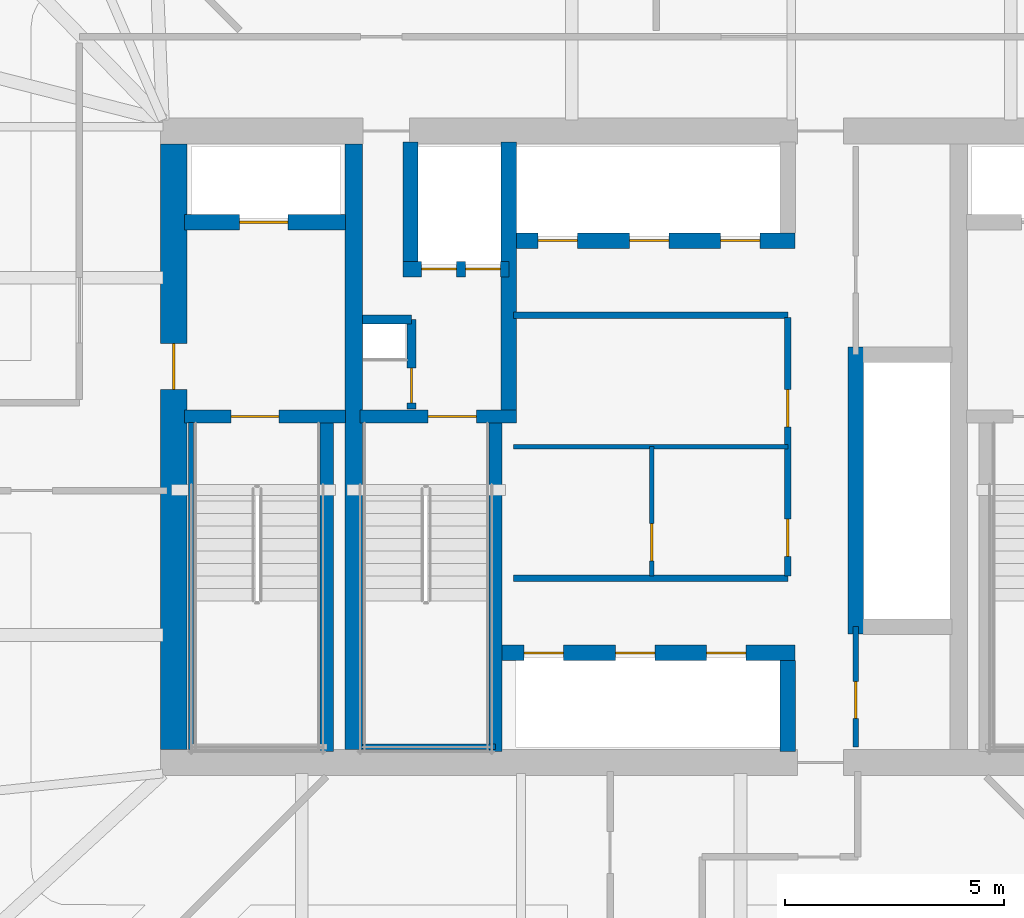
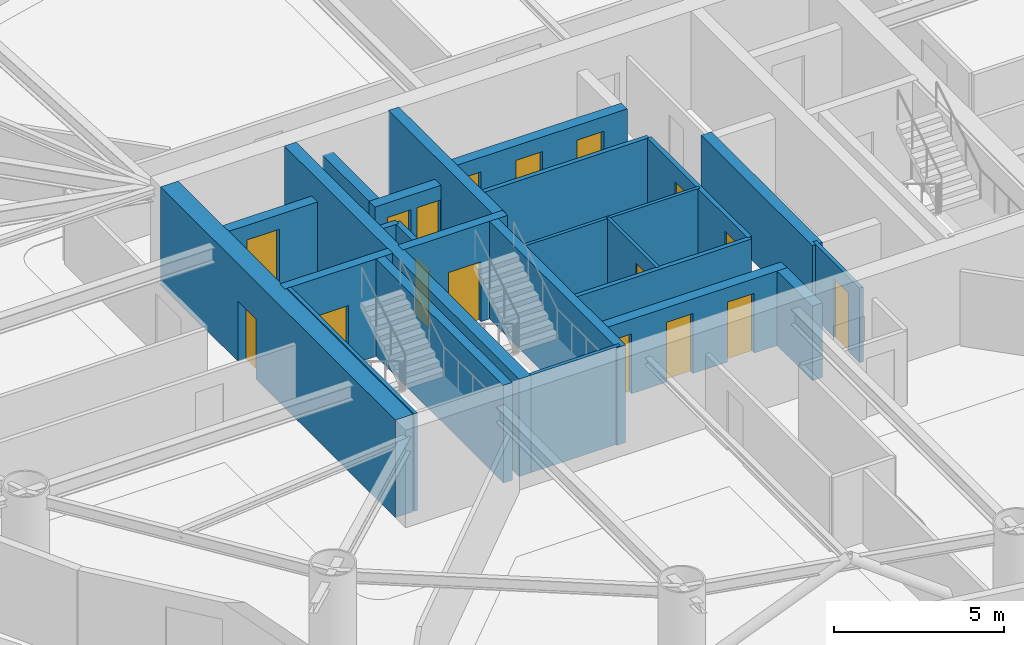
# One storey, part 14 of 21: 24 walls, 17 doors, 17 openings.
"""IFC4 building model written with IfcOpenShell, lengths in metres."""

from ifc_helpers import new_model, si_unit, direction, frame, frame_2d, origin, place, context, subcontext, project, spatial, rectangle, extrude, material, layer, layer_set, type_object, element, fill, save


model = new_model("IFC4")

# Units and contexts
model_context = context("Model", 3, precision=1e-05, world=origin(), true_north=direction((0.0, 1.0)))
body_context = subcontext(model_context, "Body", "Model", "MODEL_VIEW")
ifc_project = project(units=[si_unit("LENGTHUNIT", "METRE"), si_unit("AREAUNIT", "SQUARE_METRE"), si_unit("VOLUMEUNIT", "CUBIC_METRE"), si_unit("PLANEANGLEUNIT", "RADIAN"), si_unit("MASSUNIT", "GRAM", prefix="KILO")], contexts=[model_context])

# Site, building, storey
site_placement = place(None, origin())
site = spatial("IfcSite", under=ifc_project, at=site_placement, CompositionType="ELEMENT")
building_placement = place(site_placement, origin())
building = spatial("IfcBuilding", under=site, at=building_placement, Name="Bramvorn Convention Spire", CompositionType="ELEMENT")
storey_placement = place(building_placement, frame((0.0, 0.0, 102.800048828125)))
storey = spatial("IfcBuildingStorey", under=building, at=storey_placement, Name="L24", CompositionType="ELEMENT", Elevation=102.800048828125)

# Wall, opening, door
ifc_material_1 = material(Name="Concrete C60/70", Category="concrete")
ifc_layer_1 = layer(ifc_material_1, 0.60009765625)
ifc_layer_set_1 = layer_set([ifc_layer_1], Name="Concrete C60/70 - WL-CORE-600")
wall_type_1 = type_object("IfcWallType", Name="WL-CORE-600", PredefinedType="SHEAR", material=ifc_layer_set_1)
wall_1_placement = place(storey_placement, frame((27.0, 19.10009765625, 0.0), z_axis=(0.0, 0.0, 1.0), x_axis=(0.0, 1.0, 0.0)))
wall_1 = element("IfcWall", 1, at=wall_1_placement, inside=storey, type_object=wall_type_1, Name="L24 West RC core shear wall", PredefinedType="SHEAR", context=body_context, shape_type="SweptSolid", body=[
    extrude(rectangle(XDim=13.7998046875, YDim=0.60009765625, at=frame_2d((6.89990234375, 0.0))), origin(), (0.0, 0.0, 1.0), 3.5),
])
opening_1_placement = place(wall_1_placement, frame((8.199951171875, 0.0, 0.0)))
opening_1 = element("IfcOpeningElement", 2, at=opening_1_placement, cuts=wall_1, Name="Opening DL-105", PredefinedType="OPENING", context=body_context, shape_type="SweptSolid", body=[
    extrude(rectangle(XDim=1.050048828125, YDim=2.14990234375, at=frame_2d((0.52490234375, 1.074951171875))), frame((0.0, 0.31005859375, 0.0), z_axis=(0.0, -1.0, 0.0), x_axis=(1.0, 0.0, 0.0)), (0.0, 0.0, 1.0), 0.6201171875),
])
ifc_material_2 = material(Name="Smoke-Sealed Fire Lobby Timber-Core Door", Category="wood")
door_type_1 = type_object("IfcDoorType", Name="DR-LOBBY-1050", OperationType="NOTDEFINED", PredefinedType="DOOR", material=ifc_material_2)
door_1_placement = place(opening_1_placement, origin())
door_1 = element("IfcDoor", 3, at=door_1_placement, inside=storey, type_object=door_type_1, Name="L24 West Firefighting Lobby corridor door", OperationType="SINGLE_SWING_RIGHT", OverallHeight=2.14990234375, OverallWidth=1.050048828125, PredefinedType="DOOR", context=body_context, shape_type="SweptSolid", body=[
    extrude(rectangle(XDim=1.050048828125, YDim=2.14990234375, at=frame_2d((0.52490234375, 1.074951171875))), frame((0.0, 0.02490234375, 0.0), z_axis=(0.0, -1.0, 0.0), x_axis=(1.0, 0.0, 0.0)), (0.0, 0.0, 1.0), 0.050048828125),
])
fill(opening_1, door_1)

ifc_material_3 = material(Name="Concrete C50/60", Category="concrete")
ifc_layer_2 = layer(ifc_material_3, 0.35009765625)
ifc_layer_set_2 = layer_set([ifc_layer_2], Name="Concrete C50/60 - WL-CORE-INT-350")
wall_type_2 = type_object("IfcWallType", Name="WL-CORE-INT-350", PredefinedType="SHEAR", material=ifc_layer_set_2)
wall_2_placement = place(storey_placement, frame((27.25, 31.1201171875, 0.0), z_axis=(0.0, 0.0, 1.0), x_axis=(1.0, 0.0, 0.0)))
wall_2 = element("IfcWall", 4, at=wall_2_placement, inside=storey, type_object=wall_type_2, Name="L24 FE1 shaft front wall", PredefinedType="SHEAR", context=body_context, shape_type="SweptSolid", body=[
    extrude(rectangle(XDim=3.669921875, YDim=0.35009765625, at=frame_2d((1.8349609375, 0.0))), origin(), (0.0, 0.0, 1.0), 2.675048828125),
])
opening_2_placement = place(wall_2_placement, frame((1.25, 0.0, 0.0)))
opening_2 = element("IfcOpeningElement", 5, at=opening_2_placement, cuts=wall_2, Name="Opening LD-110", PredefinedType="OPENING", context=body_context, shape_type="SweptSolid", body=[
    extrude(rectangle(XDim=1.10009765625, YDim=2.14990234375, at=frame_2d((0.550048828125, 1.074951171875))), frame((0.0, 0.18505859375, 0.0), z_axis=(0.0, -1.0, 0.0), x_axis=(1.0, 0.0, 0.0)), (0.0, 0.0, 1.0), 0.3701171875),
])
ifc_material_4 = material(Name="Firefighting & Service Lift Sliding Landing Door", Category="steel")
door_type_2 = type_object("IfcDoorType", Name="DR-LIFT-LD-1100", OperationType="NOTDEFINED", PredefinedType="DOOR", material=ifc_material_4)
door_2_placement = place(opening_2_placement, origin())
door_2 = element("IfcDoor", 6, at=door_2_placement, inside=storey, type_object=door_type_2, Name="L24 Lift FE1 Sliding Landing Door", OperationType="SLIDING_TO_LEFT", OverallHeight=2.14990234375, OverallWidth=1.10009765625, PredefinedType="DOOR", context=body_context, shape_type="SweptSolid", body=[
    extrude(rectangle(XDim=1.10009765625, YDim=2.14990234375, at=frame_2d((0.550048828125, 1.074951171875))), frame((0.0, 0.02490234375, 0.0), z_axis=(0.0, -1.0, 0.0), x_axis=(1.0, 0.0, 0.0)), (0.0, 0.0, 1.0), 0.050048828125),
])
fill(opening_2, door_2)

# Wall
wall_3_placement = place(storey_placement, frame((34.639892578125, 26.68994140625, 0.0), z_axis=(0.0, 0.0, 1.0), x_axis=(0.0, 1.0, 0.0)))
element("IfcWall", 7, at=wall_3_placement, inside=storey, type_object=wall_type_2, Name="L24 SV east core shaft wall", PredefinedType="SHEAR", context=body_context, shape_type="SweptSolid", body=[
    extrude(rectangle(XDim=6.260009765625, YDim=0.35009765625, at=frame_2d((3.1298828125, 0.0))), origin(), (0.0, 0.0, 1.0), 3.5),
])

# Wall, openings, doors
wall_4_placement = place(storey_placement, frame((32.22998046875, 30.050048828125, 0.0), z_axis=(0.0, 0.0, 1.0), x_axis=(1.0, 0.0, 0.0)))
wall_4 = element("IfcWall", 8, at=wall_4_placement, inside=storey, type_object=wall_type_2, Name="L24 SV1/SV2 shaft front wall", PredefinedType="SHEAR", context=body_context, shape_type="SweptSolid", body=[
    extrude(rectangle(XDim=2.409912109375, YDim=0.35009765625, at=frame_2d((1.205078125, 0.0))), origin(), (0.0, 0.0, 1.0), 2.675048828125),
])
opening_3_placement = place(wall_4_placement, frame((0.419921875, 0.0, 0.0)))
opening_3 = element("IfcOpeningElement", 9, at=opening_3_placement, cuts=wall_4, Name="Opening LD-080", PredefinedType="OPENING", context=body_context, shape_type="SweptSolid", body=[
    extrude(rectangle(XDim=0.800048828125, YDim=2.14990234375, at=frame_2d((0.39990234375, 1.074951171875))), frame((0.0, 0.18505859375, 0.0), z_axis=(0.0, -1.0, 0.0), x_axis=(1.0, 0.0, 0.0)), (0.0, 0.0, 1.0), 0.3701171875),
])
opening_4_placement = place(wall_4_placement, frame((1.419921875, 0.0, 0.0)))
opening_4 = element("IfcOpeningElement", 10, at=opening_4_placement, cuts=wall_4, Name="Opening LD-080", PredefinedType="OPENING", context=body_context, shape_type="SweptSolid", body=[
    extrude(rectangle(XDim=0.800048828125, YDim=2.14990234375, at=frame_2d((0.39990234375, 1.074951171875))), frame((0.0, 0.18505859375, 0.0), z_axis=(0.0, -1.0, 0.0), x_axis=(1.0, 0.0, 0.0)), (0.0, 0.0, 1.0), 0.3701171875),
])
ifc_material_5 = material(Name="Service Lift Bi-Parting Landing Door", Category="steel")
door_type_3 = type_object("IfcDoorType", Name="DR-LIFT-LD-800", OperationType="NOTDEFINED", PredefinedType="DOOR", material=ifc_material_5)
door_3_placement = place(opening_3_placement, origin())
door_3 = element("IfcDoor", 11, at=door_3_placement, inside=storey, type_object=door_type_3, Name="L24 Lift SV1 Sliding Landing Door", OperationType="SLIDING_TO_LEFT", OverallHeight=2.14990234375, OverallWidth=0.800048828125, PredefinedType="DOOR", context=body_context, shape_type="SweptSolid", body=[
    extrude(rectangle(XDim=0.800048828125, YDim=2.14990234375, at=frame_2d((0.39990234375, 1.074951171875))), frame((0.0, 0.02490234375, 0.0), z_axis=(0.0, -1.0, 0.0), x_axis=(1.0, 0.0, 0.0)), (0.0, 0.0, 1.0), 0.050048828125),
])
fill(opening_3, door_3)
door_4_placement = place(opening_4_placement, origin())
door_4 = element("IfcDoor", 12, at=door_4_placement, inside=storey, type_object=door_type_3, Name="L24 Lift SV2 Sliding Landing Door", OperationType="SLIDING_TO_LEFT", OverallHeight=2.14990234375, OverallWidth=0.800048828125, PredefinedType="DOOR", context=body_context, shape_type="SweptSolid", body=[
    extrude(rectangle(XDim=0.800048828125, YDim=2.14990234375, at=frame_2d((0.39990234375, 1.074951171875))), frame((0.0, 0.02490234375, 0.0), z_axis=(0.0, -1.0, 0.0), x_axis=(1.0, 0.0, 0.0)), (0.0, 0.0, 1.0), 0.050048828125),
])
fill(opening_4, door_4)

# Walls
wall_5_placement = place(storey_placement, frame((32.39990234375, 30.219970703125, 0.0), z_axis=(0.0, 0.0, 1.0), x_axis=(0.0, 1.0, 0.0)))
element("IfcWall", 13, at=wall_5_placement, inside=storey, type_object=wall_type_2, Name="L24 SV1 west hoistway wall", PredefinedType="SHEAR", context=body_context, shape_type="SweptSolid", body=[
    extrude(rectangle(XDim=2.72998046875, YDim=0.35009765625, at=frame_2d((1.364990234375, 0.0))), origin(), (0.0, 0.0, 1.0), 2.675048828125),
])
wall_6_placement = place(storey_placement, frame((42.550048828125, 21.72998046875, 0.0), z_axis=(0.0, 0.0, 1.0), x_axis=(0.0, 1.0, 0.0)))
element("IfcWall", 14, at=wall_6_placement, inside=storey, type_object=wall_type_2, Name="L24 High-rise lift bank west wall", PredefinedType="SHEAR", context=body_context, shape_type="SweptSolid", body=[
    extrude(rectangle(XDim=6.5400390625, YDim=0.35009765625, at=frame_2d((3.27001953125, 0.0))), origin(), (0.0, 0.0, 1.0), 2.675048828125),
])

# Wall, openings, doors
wall_7_placement = place(storey_placement, frame((34.81005859375, 30.699951171875, 0.0), z_axis=(0.0, 0.0, 1.0), x_axis=(1.0, 0.0, 0.0)))
wall_7 = element("IfcWall", 15, at=wall_7_placement, inside=storey, type_object=wall_type_2, Name="L24 Low-rise bank south landing wall", PredefinedType="SHEAR", context=body_context, shape_type="SweptSolid", body=[
    extrude(rectangle(XDim=6.35986328125, YDim=0.35009765625, at=frame_2d((3.179931640625, 0.0))), origin(), (0.0, 0.0, 1.0), 2.675048828125),
])
opening_5_placement = place(wall_7_placement, frame((0.5, 0.0, 0.0)))
opening_5 = element("IfcOpeningElement", 16, at=opening_5_placement, cuts=wall_7, Name="Opening LD-090", PredefinedType="OPENING", context=body_context, shape_type="SweptSolid", body=[
    extrude(rectangle(XDim=0.89990234375, YDim=2.14990234375, at=frame_2d((0.449951171875, 1.074951171875))), frame((0.0, 0.18505859375, 0.0), z_axis=(0.0, -1.0, 0.0), x_axis=(1.0, 0.0, 0.0)), (0.0, 0.0, 1.0), 0.3701171875),
])
opening_6_placement = place(wall_7_placement, frame((2.580078125, 0.0, 0.0)))
opening_6 = element("IfcOpeningElement", 17, at=opening_6_placement, cuts=wall_7, Name="Opening LD-090", PredefinedType="OPENING", context=body_context, shape_type="SweptSolid", body=[
    extrude(rectangle(XDim=0.89990234375, YDim=2.14990234375, at=frame_2d((0.449951171875, 1.074951171875))), frame((0.0, 0.18505859375, 0.0), z_axis=(0.0, -1.0, 0.0), x_axis=(1.0, 0.0, 0.0)), (0.0, 0.0, 1.0), 0.3701171875),
])
opening_7_placement = place(wall_7_placement, frame((4.659912109375, 0.0, 0.0)))
opening_7 = element("IfcOpeningElement", 18, at=opening_7_placement, cuts=wall_7, Name="Opening LD-090", PredefinedType="OPENING", context=body_context, shape_type="SweptSolid", body=[
    extrude(rectangle(XDim=0.89990234375, YDim=2.14990234375, at=frame_2d((0.449951171875, 1.074951171875))), frame((0.0, 0.18505859375, 0.0), z_axis=(0.0, -1.0, 0.0), x_axis=(1.0, 0.0, 0.0)), (0.0, 0.0, 1.0), 0.3701171875),
])
ifc_material_6 = material(Name="Bi-Parting Fire-Rated Lift Landing Door", Category="steel")
door_type_4 = type_object("IfcDoorType", Name="DR-LIFT-LD-900", OperationType="NOTDEFINED", PredefinedType="DOOR", material=ifc_material_6)
door_5_placement = place(opening_5_placement, origin())
door_5 = element("IfcDoor", 19, at=door_5_placement, inside=storey, type_object=door_type_4, Name="L24 Lift PL1 Sliding Landing Door", OperationType="SLIDING_TO_LEFT", OverallHeight=2.14990234375, OverallWidth=0.89990234375, PredefinedType="DOOR", context=body_context, shape_type="SweptSolid", body=[
    extrude(rectangle(XDim=0.89990234375, YDim=2.14990234375, at=frame_2d((0.449951171875, 1.074951171875))), frame((0.0, 0.02490234375, 0.0), z_axis=(0.0, -1.0, 0.0), x_axis=(1.0, 0.0, 0.0)), (0.0, 0.0, 1.0), 0.050048828125),
])
fill(opening_5, door_5)
door_6_placement = place(opening_6_placement, origin())
door_6 = element("IfcDoor", 20, at=door_6_placement, inside=storey, type_object=door_type_4, Name="L24 Lift PL2 Sliding Landing Door", OperationType="SLIDING_TO_LEFT", OverallHeight=2.14990234375, OverallWidth=0.89990234375, PredefinedType="DOOR", context=body_context, shape_type="SweptSolid", body=[
    extrude(rectangle(XDim=0.89990234375, YDim=2.14990234375, at=frame_2d((0.449951171875, 1.074951171875))), frame((0.0, 0.02490234375, 0.0), z_axis=(0.0, -1.0, 0.0), x_axis=(1.0, 0.0, 0.0)), (0.0, 0.0, 1.0), 0.050048828125),
])
fill(opening_6, door_6)
door_7_placement = place(opening_7_placement, origin())
door_7 = element("IfcDoor", 21, at=door_7_placement, inside=storey, type_object=door_type_4, Name="L24 Lift PL3 Sliding Landing Door", OperationType="SLIDING_TO_LEFT", OverallHeight=2.14990234375, OverallWidth=0.89990234375, PredefinedType="DOOR", context=body_context, shape_type="SweptSolid", body=[
    extrude(rectangle(XDim=0.89990234375, YDim=2.14990234375, at=frame_2d((0.449951171875, 1.074951171875))), frame((0.0, 0.02490234375, 0.0), z_axis=(0.0, -1.0, 0.0), x_axis=(1.0, 0.0, 0.0)), (0.0, 0.0, 1.0), 0.050048828125),
])
fill(opening_7, door_7)

wall_8_placement = place(storey_placement, frame((34.489990234375, 21.300048828125, 0.0), z_axis=(0.0, 0.0, 1.0), x_axis=(1.0, 0.0, 0.0)))
wall_8 = element("IfcWall", 22, at=wall_8_placement, inside=storey, type_object=wall_type_2, Name="L24 Mid-rise bank north landing wall", PredefinedType="SHEAR", context=body_context, shape_type="SweptSolid", body=[
    extrude(rectangle(XDim=6.679931640625, YDim=0.35009765625, at=frame_2d((3.33984375, 0.0))), origin(), (0.0, 0.0, 1.0), 2.675048828125),
])
opening_8_placement = place(wall_8_placement, frame((0.5, 0.0, 0.0)))
opening_8 = element("IfcOpeningElement", 23, at=opening_8_placement, cuts=wall_8, Name="Opening LD-090", PredefinedType="OPENING", context=body_context, shape_type="SweptSolid", body=[
    extrude(rectangle(XDim=0.89990234375, YDim=2.14990234375, at=frame_2d((0.449951171875, 1.074951171875))), frame((0.0, 0.18505859375, 0.0), z_axis=(0.0, -1.0, 0.0), x_axis=(1.0, 0.0, 0.0)), (0.0, 0.0, 1.0), 0.3701171875),
])
opening_9_placement = place(wall_8_placement, frame((2.580078125, 0.0, 0.0)))
opening_9 = element("IfcOpeningElement", 24, at=opening_9_placement, cuts=wall_8, Name="Opening LD-090", PredefinedType="OPENING", context=body_context, shape_type="SweptSolid", body=[
    extrude(rectangle(XDim=0.89990234375, YDim=2.14990234375, at=frame_2d((0.449951171875, 1.074951171875))), frame((0.0, 0.18505859375, 0.0), z_axis=(0.0, -1.0, 0.0), x_axis=(1.0, 0.0, 0.0)), (0.0, 0.0, 1.0), 0.3701171875),
])
opening_10_placement = place(wall_8_placement, frame((4.659912109375, 0.0, 0.0)))
opening_10 = element("IfcOpeningElement", 25, at=opening_10_placement, cuts=wall_8, Name="Opening LD-090", PredefinedType="OPENING", context=body_context, shape_type="SweptSolid", body=[
    extrude(rectangle(XDim=0.89990234375, YDim=2.14990234375, at=frame_2d((0.449951171875, 1.074951171875))), frame((0.0, 0.18505859375, 0.0), z_axis=(0.0, -1.0, 0.0), x_axis=(1.0, 0.0, 0.0)), (0.0, 0.0, 1.0), 0.3701171875),
])
door_8_placement = place(opening_8_placement, origin())
door_8 = element("IfcDoor", 26, at=door_8_placement, inside=storey, type_object=door_type_4, Name="L24 Lift PM1 Sliding Landing Door", OperationType="SLIDING_TO_LEFT", OverallHeight=2.14990234375, OverallWidth=0.89990234375, PredefinedType="DOOR", context=body_context, shape_type="SweptSolid", body=[
    extrude(rectangle(XDim=0.89990234375, YDim=2.14990234375, at=frame_2d((0.449951171875, 1.074951171875))), frame((0.0, 0.02490234375, 0.0), z_axis=(0.0, -1.0, 0.0), x_axis=(1.0, 0.0, 0.0)), (0.0, 0.0, 1.0), 0.050048828125),
])
fill(opening_8, door_8)
door_9_placement = place(opening_9_placement, origin())
door_9 = element("IfcDoor", 27, at=door_9_placement, inside=storey, type_object=door_type_4, Name="L24 Lift PM2 Sliding Landing Door", OperationType="SLIDING_TO_LEFT", OverallHeight=2.14990234375, OverallWidth=0.89990234375, PredefinedType="DOOR", context=body_context, shape_type="SweptSolid", body=[
    extrude(rectangle(XDim=0.89990234375, YDim=2.14990234375, at=frame_2d((0.449951171875, 1.074951171875))), frame((0.0, 0.02490234375, 0.0), z_axis=(0.0, -1.0, 0.0), x_axis=(1.0, 0.0, 0.0)), (0.0, 0.0, 1.0), 0.050048828125),
])
fill(opening_9, door_9)
door_10_placement = place(opening_10_placement, origin())
door_10 = element("IfcDoor", 28, at=door_10_placement, inside=storey, type_object=door_type_4, Name="L24 Lift PM3 Sliding Landing Door", OperationType="SLIDING_TO_LEFT", OverallHeight=2.14990234375, OverallWidth=0.89990234375, PredefinedType="DOOR", context=body_context, shape_type="SweptSolid", body=[
    extrude(rectangle(XDim=0.89990234375, YDim=2.14990234375, at=frame_2d((0.449951171875, 1.074951171875))), frame((0.0, 0.02490234375, 0.0), z_axis=(0.0, -1.0, 0.0), x_axis=(1.0, 0.0, 0.0)), (0.0, 0.0, 1.0), 0.050048828125),
])
fill(opening_10, door_10)

# Walls
wall_9_placement = place(storey_placement, frame((41.0, 19.050048828125, 0.0), z_axis=(0.0, 0.0, 1.0), x_axis=(0.0, 1.0, 0.0)))
element("IfcWall", 29, at=wall_9_placement, inside=storey, type_object=wall_type_2, Name="L24 Mid-rise bank east cheek wall", PredefinedType="SHEAR", context=body_context, shape_type="SweptSolid", body=[
    extrude(rectangle(XDim=2.079833984375, YDim=0.35009765625, at=frame_2d((1.0400390625, 0.0))), origin(), (0.0, 0.0, 1.0), 2.675048828125),
])
ifc_layer_3 = layer(ifc_material_1, 0.39990234375)
ifc_layer_set_3 = layer_set([ifc_layer_3], Name="Concrete C60/70 - WL-CORE-INT-400")
wall_type_3 = type_object("IfcWallType", Name="WL-CORE-INT-400", PredefinedType="SHEAR", material=ifc_layer_set_3)
wall_10_placement = place(storey_placement, frame((31.10009765625, 19.10009765625, 0.0), z_axis=(0.0, 0.0, 1.0), x_axis=(0.0, 1.0, 0.0)))
element("IfcWall", 30, at=wall_10_placement, inside=storey, type_object=wall_type_3, Name="L24 West internal core shear web", PredefinedType="SHEAR", context=body_context, shape_type="SweptSolid", body=[
    extrude(rectangle(XDim=13.7998046875, YDim=0.39990234375, at=frame_2d((6.89990234375, 0.0))), origin(), (0.0, 0.0, 1.0), 3.5),
])
ifc_material_7 = material(Name="Lightweight En-Suite & Wet-Wall Partition", Category="gypsum")
ifc_layer_4 = layer(ifc_material_7, 0.110107421875)
ifc_layer_set_4 = layer_set([ifc_layer_4], Name="Lightweight En-Suite & Wet-Wall Partition - WL-PART-110")
wall_type_4 = type_object("IfcWallType", Name="WL-PART-110", PredefinedType="PARTITIONING", material=ifc_layer_set_4)
wall_11_placement = place(storey_placement, frame((34.75, 26.0, 0.0), z_axis=(0.0, 0.0, 1.0), x_axis=(1.0, 0.0, 0.0)))
element("IfcWall", 31, at=wall_11_placement, inside=storey, type_object=wall_type_4, Name="L24 KA horizontal core divider", PredefinedType="PARTITIONING", context=body_context, shape_type="SweptSolid", body=[
    extrude(rectangle(XDim=6.25, YDim=0.110107421875, at=frame_2d((3.125, 0.0))), origin(), (0.0, 0.0, 1.0), 2.675048828125),
])

# Wall, opening, door
wall_12_placement = place(storey_placement, frame((37.89990234375, 23.050048828125, 0.0), z_axis=(0.0, 0.0, 1.0), x_axis=(0.0, 1.0, 0.0)))
wall_12 = element("IfcWall", 32, at=wall_12_placement, inside=storey, type_object=wall_type_4, Name="L24 KA restroom subwall", PredefinedType="PARTITIONING", context=body_context, shape_type="SweptSolid", body=[
    extrude(rectangle(XDim=2.949951171875, YDim=0.110107421875, at=frame_2d((1.47509765625, 0.0))), origin(), (0.0, 0.0, 1.0), 2.675048828125),
])
opening_11_placement = place(wall_12_placement, frame((0.35009765625, 0.0, 0.0)))
opening_11 = element("IfcOpeningElement", 33, at=opening_11_placement, cuts=wall_12, Name="Opening DC-085", PredefinedType="OPENING", context=body_context, shape_type="SweptSolid", body=[
    extrude(rectangle(XDim=0.85009765625, YDim=2.10009765625, at=frame_2d((0.425048828125, 1.050048828125))), frame((0.0, 0.06494140625, 0.0), z_axis=(0.0, -1.0, 0.0), x_axis=(1.0, 0.0, 0.0)), (0.0, 0.0, 1.0), 0.130126953125),
])
ifc_material_8 = material(Name="Fire-Rated Core Washroom & IDF Door", Category="wood")
door_type_5 = type_object("IfcDoorType", Name="DR-CORE-850", OperationType="NOTDEFINED", PredefinedType="DOOR", material=ifc_material_8)
door_11_placement = place(opening_11_placement, origin())
door_11 = element("IfcDoor", 34, at=door_11_placement, inside=storey, type_object=door_type_5, Name="L24 Core IT Closet door", OperationType="SINGLE_SWING_LEFT", OverallHeight=2.10009765625, OverallWidth=0.85009765625, PredefinedType="DOOR", context=body_context, shape_type="SweptSolid", body=[
    extrude(rectangle(XDim=0.85009765625, YDim=2.10009765625, at=frame_2d((0.425048828125, 1.050048828125))), frame((0.0, 0.02490234375, 0.0), z_axis=(0.0, -1.0, 0.0), x_axis=(1.0, 0.0, 0.0)), (0.0, 0.0, 1.0), 0.050048828125),
])
fill(opening_11, door_11)

ifc_material_9 = material(Name="Metal-Stud Demountable Office Partition", Category="gypsum")
ifc_layer_5 = layer(ifc_material_9, 0.1298828125)
ifc_layer_set_5 = layer_set([ifc_layer_5], Name="Metal-Stud Demountable Office Partition - WL-PART-130")
wall_type_5 = type_object("IfcWallType", Name="WL-PART-130", PredefinedType="PARTITIONING", material=ifc_layer_set_5)
wall_13_placement = place(storey_placement, frame((42.550048828125, 19.14990234375, 0.0), z_axis=(0.0, 0.0, 1.0), x_axis=(0.0, 1.0, 0.0)))
wall_13 = element("IfcWall", 35, at=wall_13_placement, inside=storey, type_object=wall_type_5, Name="L24 KA SE store wall", PredefinedType="PARTITIONING", context=body_context, shape_type="SweptSolid", body=[
    extrude(rectangle(XDim=2.75, YDim=0.1298828125, at=frame_2d((1.375, 0.0))), origin(), (0.0, 0.0, 1.0), 2.675048828125),
])
opening_12_placement = place(wall_13_placement, frame((0.64990234375, 0.0, 0.0)))
opening_12 = element("IfcOpeningElement", 36, at=opening_12_placement, cuts=wall_13, Name="Opening DC-085", PredefinedType="OPENING", context=body_context, shape_type="SweptSolid", body=[
    extrude(rectangle(XDim=0.85009765625, YDim=2.10009765625, at=frame_2d((0.425048828125, 1.050048828125))), frame((0.0, 0.074951171875, 0.0), z_axis=(0.0, -1.0, 0.0), x_axis=(1.0, 0.0, 0.0)), (0.0, 0.0, 1.0), 0.14990234375),
])
door_12_placement = place(opening_12_placement, origin())
door_12 = element("IfcDoor", 37, at=door_12_placement, inside=storey, type_object=door_type_5, Name="L24 Tenant Pantry & Copy Centre door", OperationType="SINGLE_SWING_LEFT", OverallHeight=2.10009765625, OverallWidth=0.85009765625, PredefinedType="DOOR", context=body_context, shape_type="SweptSolid", body=[
    extrude(rectangle(XDim=0.85009765625, YDim=2.10009765625, at=frame_2d((0.425048828125, 1.050048828125))), frame((0.0, 0.02490234375, 0.0), z_axis=(0.0, -1.0, 0.0), x_axis=(1.0, 0.0, 0.0)), (0.0, 0.0, 1.0), 0.050048828125),
])
fill(opening_12, door_12)

# Walls
ifc_material_10 = material(Name="Acoustic Metal-Stud Tenant/Corridor Partition", Category="gypsum")
ifc_layer_6 = layer(ifc_material_10, 0.14990234375)
ifc_layer_set_6 = layer_set([ifc_layer_6], Name="Acoustic Metal-Stud Tenant/Corridor Partition - WL-PART-150")
wall_type_6 = type_object("IfcWallType", Name="WL-PART-150", PredefinedType="PARTITIONING", material=ifc_layer_set_6)
for number, where, z_axis, x_axis, name in (
    (38, (34.75, 29.0, 0.0), (0.0, 0.0, 1.0), (1.0, 0.0, 0.0), "L24 Low-rise lift vestibule south wall"),
    (39, (34.75, 23.0, 0.0), (0.0, 0.0, 1.0), (1.0, 0.0, 0.0), "L24 Mid-rise lift vestibule north wall"),
):
    element("IfcWall", number, at=place(storey_placement, frame(where, z_axis=z_axis, x_axis=x_axis)), inside=storey, type_object=wall_type_6, Name=name, PredefinedType="PARTITIONING", context=body_context, shape_type="SweptSolid", body=[
        extrude(rectangle(XDim=6.25, YDim=0.14990234375, at=frame_2d((3.125, 0.0))), origin(), (0.0, 0.0, 1.0), 2.675048828125),
    ])

# Wall, openings, doors
wall_14_placement = place(storey_placement, frame((41.0, 23.050048828125, 0.0), z_axis=(0.0, 0.0, 1.0), x_axis=(0.0, 1.0, 0.0)))
wall_14 = element("IfcWall", 40, at=wall_14_placement, inside=storey, type_object=wall_type_6, Name="L24 KA east core wall", PredefinedType="PARTITIONING", context=body_context, shape_type="SweptSolid", body=[
    extrude(rectangle(XDim=5.89990234375, YDim=0.14990234375, at=frame_2d((2.949951171875, 0.0))), origin(), (0.0, 0.0, 1.0), 2.675048828125),
])
opening_13_placement = place(wall_14_placement, frame((3.39990234375, 0.0, 0.0)))
opening_13 = element("IfcOpeningElement", 41, at=opening_13_placement, cuts=wall_14, Name="Opening DC-085", PredefinedType="OPENING", context=body_context, shape_type="SweptSolid", body=[
    extrude(rectangle(XDim=0.85009765625, YDim=2.10009765625, at=frame_2d((0.425048828125, 1.050048828125))), frame((0.0, 0.0849609375, 0.0), z_axis=(0.0, -1.0, 0.0), x_axis=(1.0, 0.0, 0.0)), (0.0, 0.0, 1.0), 0.169921875),
])
opening_14_placement = place(wall_14_placement, frame((0.449951171875, 0.0, 0.0)))
opening_14 = element("IfcOpeningElement", 42, at=opening_14_placement, cuts=wall_14, Name="Opening DC-085", PredefinedType="OPENING", context=body_context, shape_type="SweptSolid", body=[
    extrude(rectangle(XDim=0.85009765625, YDim=2.10009765625, at=frame_2d((0.425048828125, 1.050048828125))), frame((0.0, 0.0849609375, 0.0), z_axis=(0.0, -1.0, 0.0), x_axis=(1.0, 0.0, 0.0)), (0.0, 0.0, 1.0), 0.169921875),
])
door_13_placement = place(opening_13_placement, origin())
door_13 = element("IfcDoor", 43, at=door_13_placement, inside=storey, type_object=door_type_5, Name="L24 Core Linen & Equipment Store door", OperationType="SINGLE_SWING_LEFT", OverallHeight=2.10009765625, OverallWidth=0.85009765625, PredefinedType="DOOR", context=body_context, shape_type="SweptSolid", body=[
    extrude(rectangle(XDim=0.85009765625, YDim=2.10009765625, at=frame_2d((0.425048828125, 1.050048828125))), frame((0.0, 0.02490234375, 0.0), z_axis=(0.0, -1.0, 0.0), x_axis=(1.0, 0.0, 0.0)), (0.0, 0.0, 1.0), 0.050048828125),
])
fill(opening_13, door_13)
door_14_placement = place(opening_14_placement, origin())
door_14 = element("IfcDoor", 44, at=door_14_placement, inside=storey, type_object=door_type_5, Name="L24 Accessible Core Restroom door", OperationType="SINGLE_SWING_LEFT", OverallHeight=2.10009765625, OverallWidth=0.85009765625, PredefinedType="DOOR", context=body_context, shape_type="SweptSolid", body=[
    extrude(rectangle(XDim=0.85009765625, YDim=2.10009765625, at=frame_2d((0.425048828125, 1.050048828125))), frame((0.0, 0.02490234375, 0.0), z_axis=(0.0, -1.0, 0.0), x_axis=(1.0, 0.0, 0.0)), (0.0, 0.0, 1.0), 0.050048828125),
])
fill(opening_14, door_14)

# Wall, opening, door
ifc_material_11 = material(Name="Gypsum Shaftwall & Rockwool Core Partition", Category="gypsum")
ifc_layer_7 = layer(ifc_material_11, 0.199951171875)
ifc_layer_set_7 = layer_set([ifc_layer_7], Name="Gypsum Shaftwall & Rockwool Core Partition - WL-PART-200-FR")
wall_type_7 = type_object("IfcWallType", Name="WL-PART-200-FR", PredefinedType="PARTITIONING", material=ifc_layer_set_7)
wall_15_placement = place(storey_placement, frame((32.419921875, 26.860107421875, 0.0), z_axis=(0.0, 0.0, 1.0), x_axis=(0.0, 1.0, 0.0)))
wall_15 = element("IfcWall", 45, at=wall_15_placement, inside=storey, type_object=wall_type_7, Name="L24 Telecom riser east wall", PredefinedType="PARTITIONING", context=body_context, shape_type="SweptSolid", body=[
    extrude(rectangle(XDim=2.039794921875, YDim=0.199951171875, at=frame_2d((1.02001953125, 0.0))), origin(), (0.0, 0.0, 1.0), 2.675048828125),
])
opening_15_placement = place(wall_15_placement, frame((0.139892578125, 0.0, 0.0)))
opening_15 = element("IfcOpeningElement", 46, at=opening_15_placement, cuts=wall_15, Name="Opening DR-080", PredefinedType="OPENING", context=body_context, shape_type="SweptSolid", body=[
    extrude(rectangle(XDim=0.800048828125, YDim=2.050048828125, at=frame_2d((0.39990234375, 1.02490234375))), frame((0.0, 0.10986328125, 0.0), z_axis=(0.0, -1.0, 0.0), x_axis=(1.0, 0.0, 0.0)), (0.0, 0.0, 1.0), 0.219970703125),
])
ifc_material_12 = material(Name="Flush Steel Riser Access Door", Category="steel")
door_type_6 = type_object("IfcDoorType", Name="DR-RISER-800", OperationType="NOTDEFINED", PredefinedType="DOOR", material=ifc_material_12)
door_15_placement = place(opening_15_placement, origin())
door_15 = element("IfcDoor", 47, at=door_15_placement, inside=storey, type_object=door_type_6, Name="L24 Telecom riser access door", OperationType="SINGLE_SWING_RIGHT", OverallHeight=2.050048828125, OverallWidth=0.800048828125, PredefinedType="DOOR", context=body_context, shape_type="SweptSolid", body=[
    extrude(rectangle(XDim=0.800048828125, YDim=2.050048828125, at=frame_2d((0.39990234375, 1.02490234375))), frame((0.0, 0.02490234375, 0.0), z_axis=(0.0, -1.0, 0.0), x_axis=(1.0, 0.0, 0.0)), (0.0, 0.0, 1.0), 0.050048828125),
])
fill(opening_15, door_15)

# Wall
wall_16_placement = place(storey_placement, frame((31.300048828125, 28.89990234375, 0.0), z_axis=(0.0, 0.0, 1.0), x_axis=(1.0, 0.0, 0.0)))
element("IfcWall", 48, at=wall_16_placement, inside=storey, type_object=wall_type_7, Name="L24 Telecom riser north wall", PredefinedType="PARTITIONING", context=body_context, shape_type="SweptSolid", body=[
    extrude(rectangle(XDim=1.119873046875, YDim=0.199951171875, at=frame_2d((0.56005859375, 0.0))), origin(), (0.0, 0.0, 1.0), 2.675048828125),
])

# Wall, opening, door
ifc_layer_8 = layer(ifc_material_3, 0.300048828125)
ifc_layer_set_8 = layer_set([ifc_layer_8], Name="Concrete C50/60 - WL-POD-STAIR-300")
wall_type_8 = type_object("IfcWallType", Name="WL-POD-STAIR-300", PredefinedType="SHEAR", material=ifc_layer_set_8)
wall_17_placement = place(storey_placement, frame((27.25, 26.68994140625, 0.0), z_axis=(0.0, 0.0, 1.0), x_axis=(1.0, 0.0, 0.0)))
wall_17 = element("IfcWall", 49, at=wall_17_placement, inside=storey, type_object=wall_type_8, Name="L24 ST1 north fire wall", PredefinedType="SHEAR", context=body_context, shape_type="SweptSolid", body=[
    extrude(rectangle(XDim=3.669921875, YDim=0.300048828125, at=frame_2d((1.8349609375, 0.0))), origin(), (0.0, 0.0, 1.0), 3.5),
])
opening_16_placement = place(wall_17_placement, frame((1.050048828125, 0.0, 0.0)))
opening_16 = element("IfcOpeningElement", 50, at=opening_16_placement, cuts=wall_17, Name="Opening DS-110", PredefinedType="OPENING", context=body_context, shape_type="SweptSolid", body=[
    extrude(rectangle(XDim=1.10009765625, YDim=2.14990234375, at=frame_2d((0.550048828125, 1.074951171875))), frame((0.0, 0.159912109375, 0.0), z_axis=(0.0, -1.0, 0.0), x_axis=(1.0, 0.0, 0.0)), (0.0, 0.0, 1.0), 0.320068359375),
])
ifc_material_13 = material(Name="Fire-Rated Hollow Steel Stairwell Door", Category="steel")
door_type_7 = type_object("IfcDoorType", Name="DR-STAIR-1100", OperationType="NOTDEFINED", PredefinedType="DOOR", material=ifc_material_13)
door_16_placement = place(opening_16_placement, origin())
door_16 = element("IfcDoor", 51, at=door_16_placement, inside=storey, type_object=door_type_7, Name="L24 Stair ST1 fire door", OperationType="SINGLE_SWING_LEFT", OverallHeight=2.14990234375, OverallWidth=1.10009765625, PredefinedType="DOOR", context=body_context, shape_type="SweptSolid", body=[
    extrude(rectangle(XDim=1.10009765625, YDim=2.14990234375, at=frame_2d((0.550048828125, 1.074951171875))), frame((0.0, 0.02490234375, 0.0), z_axis=(0.0, -1.0, 0.0), x_axis=(1.0, 0.0, 0.0)), (0.0, 0.0, 1.0), 0.050048828125),
])
fill(opening_16, door_16)

# Walls
for number, where, z_axis, x_axis, name in (
    (52, (30.489990234375, 19.050048828125, 0.0), (0.0, 0.0, 1.0), (0.0, 1.0, 0.0), "L24 ST1 east bearing wall"),
    (53, (34.340087890625, 19.050048828125, 0.0), (0.0, 0.0, 1.0), (0.0, 1.0, 0.0), "L24 ST3 east bearing wall"),
):
    element("IfcWall", number, at=place(storey_placement, frame(where, z_axis=z_axis, x_axis=x_axis)), inside=storey, type_object=wall_type_8, Name=name, PredefinedType="SHEAR", context=body_context, shape_type="SweptSolid", body=[
        extrude(rectangle(XDim=7.5, YDim=0.300048828125, at=frame_2d((3.75, 0.0))), origin(), (0.0, 0.0, 1.0), 3.5),
    ])

# Wall, opening, door
wall_18_placement = place(storey_placement, frame((31.25, 26.68994140625, 0.0), z_axis=(0.0, 0.0, 1.0), x_axis=(1.0, 0.0, 0.0)))
wall_18 = element("IfcWall", 54, at=wall_18_placement, inside=storey, type_object=wall_type_8, Name="L24 ST3 north lobby wall", PredefinedType="SHEAR", context=body_context, shape_type="SweptSolid", body=[
    extrude(rectangle(XDim=3.56005859375, YDim=0.300048828125, at=frame_2d((1.780029296875, 0.0))), origin(), (0.0, 0.0, 1.0), 3.5),
])
opening_17_placement = place(wall_18_placement, frame((1.550048828125, 0.0, 0.0)))
opening_17 = element("IfcOpeningElement", 55, at=opening_17_placement, cuts=wall_18, Name="Opening DS-110", PredefinedType="OPENING", context=body_context, shape_type="SweptSolid", body=[
    extrude(rectangle(XDim=1.10009765625, YDim=2.14990234375, at=frame_2d((0.550048828125, 1.074951171875))), frame((0.0, 0.159912109375, 0.0), z_axis=(0.0, -1.0, 0.0), x_axis=(1.0, 0.0, 0.0)), (0.0, 0.0, 1.0), 0.320068359375),
])
door_17_placement = place(opening_17_placement, origin())
door_17 = element("IfcDoor", 56, at=door_17_placement, inside=storey, type_object=door_type_7, Name="L24 Stair ST3 fire door", OperationType="SINGLE_SWING_LEFT", OverallHeight=2.14990234375, OverallWidth=1.10009765625, PredefinedType="DOOR", context=body_context, shape_type="SweptSolid", body=[
    extrude(rectangle(XDim=1.10009765625, YDim=2.14990234375, at=frame_2d((0.550048828125, 1.074951171875))), frame((0.0, 0.02490234375, 0.0), z_axis=(0.0, -1.0, 0.0), x_axis=(1.0, 0.0, 0.0)), (0.0, 0.0, 1.0), 0.050048828125),
])
fill(opening_17, door_17)

# Walls
ifc_layer_9 = layer(ifc_material_3, 0.1201171875)
ifc_layer_set_9 = layer_set([ifc_layer_9], Name="Concrete C50/60 - WL-STAIR-RC-120")
wall_type_9 = type_object("IfcWallType", Name="WL-STAIR-RC-120", PredefinedType="SHEAR", material=ifc_layer_set_9)
wall_19_placement = place(storey_placement, frame((27.39501953125, 19.10009765625, 0.0), z_axis=(0.0, 0.0, 1.0), x_axis=(0.0, 1.0, 0.0)))
element("IfcWall", 57, at=wall_19_placement, inside=storey, type_object=wall_type_9, Name="L24 ST1 west bearing shear wall", PredefinedType="SHEAR", context=body_context, shape_type="SweptSolid", body=[
    extrude(rectangle(XDim=7.449951171875, YDim=0.1201171875, at=frame_2d((3.72509765625, 0.0))), origin(), (0.0, 0.0, 1.0), 3.5),
])
wall_20_placement = place(storey_placement, frame((31.300048828125, 19.159912109375, 0.0), z_axis=(0.0, 0.0, 1.0), x_axis=(1.0, 0.0, 0.0)))
element("IfcWall", 58, at=wall_20_placement, inside=storey, type_object=wall_type_9, Name="L24 ST3 south bearing shear wall", PredefinedType="SHEAR", context=body_context, shape_type="SweptSolid", body=[
    extrude(rectangle(XDim=3.0400390625, YDim=0.1201171875, at=frame_2d((1.52001953125, 0.0))), origin(), (0.0, 0.0, 1.0), 3.5),
])

save(model, "model.ifc")
